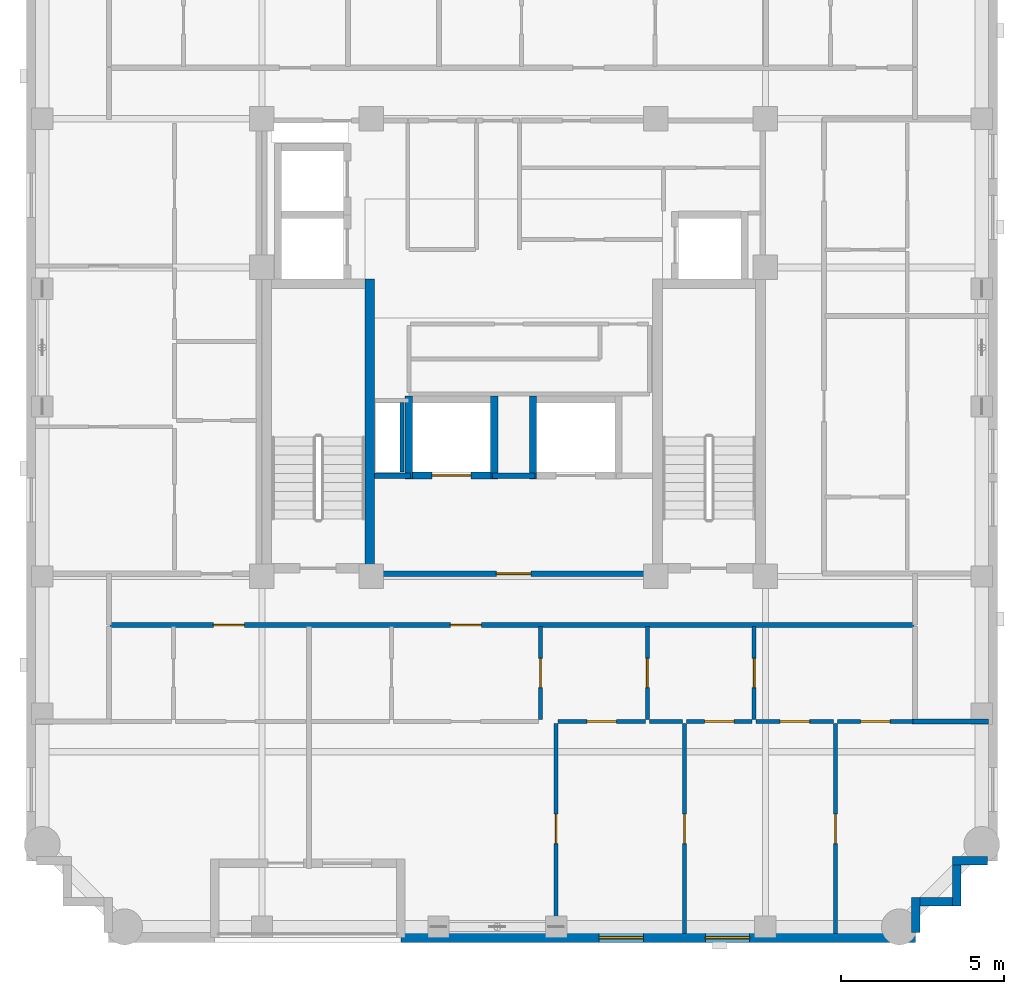
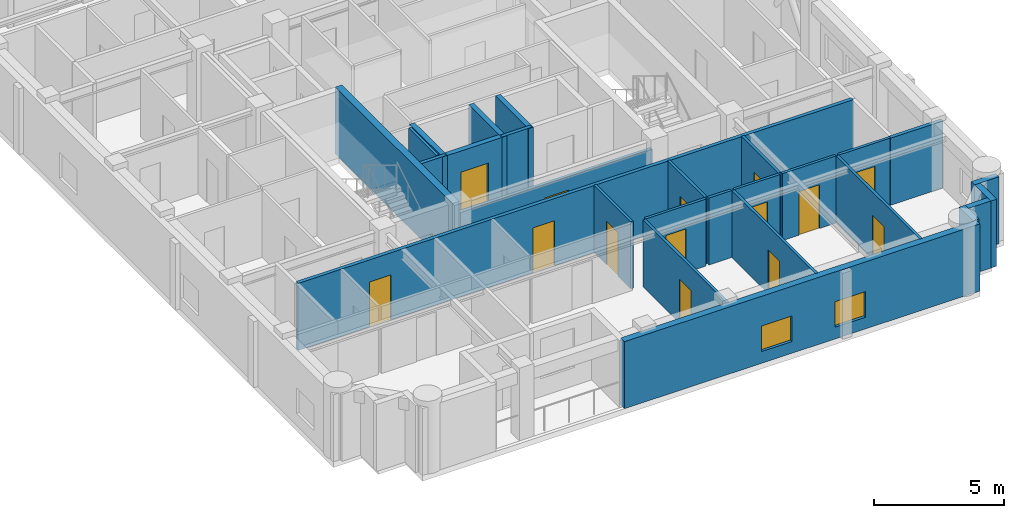
# One storey, part 3 of 10: 27 walls, 14 doors, 2 windows, 16 openings.
"""IFC4 building model written with IfcOpenShell, lengths in metres."""

from ifc_helpers import new_model, si_unit, derived_unit, direction, frame, frame_2d, origin, place, context, subcontext, project, spatial, rectangle, extrude, material, layer, layer_set, type_object, element, fill, save


model = new_model("IFC4")

# Units and contexts
model_context = context("Model", 3, precision=1e-05, world=origin(), true_north=direction((0.0, 1.0)))
body_context = subcontext(model_context, "Body", "Model", "MODEL_VIEW")
ifc_project = project(units=[si_unit("LENGTHUNIT", "METRE"), si_unit("AREAUNIT", "SQUARE_METRE"), si_unit("VOLUMEUNIT", "CUBIC_METRE"), si_unit("PLANEANGLEUNIT", "RADIAN"), si_unit("MASSUNIT", "GRAM", prefix="KILO"), derived_unit("THERMALTRANSMITTANCEUNIT", [(si_unit("MASSUNIT", "GRAM", prefix="KILO"), 1), (si_unit("TIMEUNIT", "SECOND"), -3), (si_unit("THERMODYNAMICTEMPERATUREUNIT", "KELVIN"), -1)])], contexts=[model_context])

# Site, building, storey
site_placement = place(None, origin())
site = spatial("IfcSite", under=ifc_project, at=site_placement, CompositionType="ELEMENT")
building_placement = place(site_placement, origin())
building = spatial("IfcBuilding", under=site, at=building_placement, Name="Korrvale Station Residences", CompositionType="ELEMENT")
storey_placement = place(building_placement, frame((0.0, 0.0, 220.699951171875)))
storey = spatial("IfcBuildingStorey", under=building, at=storey_placement, Name="L64", CompositionType="ELEMENT", Elevation=220.699951171875)

# Walls
ifc_material_1 = material(Name="Concrete C50/60", Category="concrete")
ifc_layer_1 = layer(ifc_material_1, 0.300048828125, Name="Concrete C50/60")
ifc_layer_set_1 = layer_set([ifc_layer_1], Name="Concrete C50/60")
wall_type_1 = type_object("IfcWallType", Name="WAL-CORE-300-C50", PredefinedType="SHEAR", material=ifc_layer_set_1)
wall_1_placement = place(storey_placement, frame((21.10009765625, 15.10009765625, 0.0), z_axis=(0.0, 0.0, 1.0), x_axis=(0.0, 1.0, 0.0)))
element("IfcWall", 1, at=wall_1_placement, inside=storey, type_object=wall_type_1, Name="L64 ST-1 Core Shear Wall East", PredefinedType="SHEAR", context=body_context, shape_type="SweptSolid", body=[
    extrude(rectangle(XDim=9.0, YDim=0.300048828125, at=frame_2d((4.5, 0.0))), origin(), (0.0, 0.0, 1.0), 3.14013671875),
])
ifc_material_2 = material(Name="Precast concrete C45/55", Category="concrete")
ifc_layer_2 = layer(ifc_material_2, 0.260009765625, Name="Precast concrete C45/55")
ifc_layer_set_2 = layer_set([ifc_layer_2], Name="Precast concrete C45/55")
wall_type_2 = type_object("IfcWallType", Name="WAL-EXT-LOG260", PredefinedType="SOLIDWALL", material=ifc_layer_set_2)
wall_2_placement = place(storey_placement, frame((39.998046875, 6.300048828125, 0.0), z_axis=(0.0, 0.0, 1.0), x_axis=(-1.0, 0.0, 0.0)))
element("IfcWall", 2, at=wall_2_placement, inside=storey, type_object=wall_type_2, Name="L64 Serrated Corner Precast Step SE-1", PredefinedType="SOLIDWALL", context=body_context, shape_type="SweptSolid", body=[
    extrude(rectangle(XDim=1.078125, YDim=0.260009765625, at=frame_2d((0.5390625, 0.0))), origin(), (0.0, 0.0, 1.0), 3.14013671875),
])
wall_3_placement = place(storey_placement, frame((39.050048828125, 6.16796875, 0.0), z_axis=(0.0, 0.0, 1.0), x_axis=(0.0, -1.0, 0.0)))
element("IfcWall", 3, at=wall_3_placement, inside=storey, type_object=wall_type_2, Name="L64 Serrated Corner Precast Step SE-2", PredefinedType="SOLIDWALL", context=body_context, shape_type="SweptSolid", body=[
    extrude(rectangle(XDim=1.248046875, YDim=0.260009765625, at=frame_2d((0.6240234375, 0.0))), origin(), (0.0, 0.0, 1.0), 3.14013671875),
])
wall_4_placement = place(storey_placement, frame((38.91796875, 5.050048828125, 0.0), z_axis=(0.0, 0.0, 1.0), x_axis=(-1.0, 0.0, 0.0)))
element("IfcWall", 4, at=wall_4_placement, inside=storey, type_object=wall_type_2, Name="L64 Serrated Corner Precast Step SE-3", PredefinedType="SOLIDWALL", context=body_context, shape_type="SweptSolid", body=[
    extrude(rectangle(XDim=0.986083984375, YDim=0.260009765625, at=frame_2d((0.4931640625, 0.0))), origin(), (0.0, 0.0, 1.0), 3.14013671875),
])
wall_5_placement = place(storey_placement, frame((37.800048828125, 5.179931640625, 0.0), z_axis=(0.0, 0.0, 1.0), x_axis=(0.0, -1.0, 0.0)))
element("IfcWall", 5, at=wall_5_placement, inside=storey, type_object=wall_type_2, Name="L64 Serrated Corner Precast Step SE-4", PredefinedType="SOLIDWALL", context=body_context, shape_type="SweptSolid", body=[
    extrude(rectangle(XDim=1.077880859375, YDim=0.260009765625, at=frame_2d((0.5390625, 0.0))), origin(), (0.0, 0.0, 1.0), 3.14013671875),
])

# Wall, openings, windows
ifc_layer_3 = layer(ifc_material_2, 0.300048828125, Name="Precast concrete C45/55")
ifc_layer_set_3 = layer_set([ifc_layer_3], Name="Precast concrete C45/55")
wall_type_3 = type_object("IfcWallType", Name="WAL-EXT-PC300", PredefinedType="SOLIDWALL", material=ifc_layer_set_3)
wall_6_placement = place(storey_placement, frame((37.800048828125, 3.949951171875, 0.0), z_axis=(0.0, 0.0, 1.0), x_axis=(-1.0, 0.0, 0.0)))
wall_6 = element("IfcWall", 6, at=wall_6_placement, inside=storey, type_object=wall_type_3, Name="L64 South Exterior Precast Wall 1", PredefinedType="SOLIDWALL", context=body_context, shape_type="SweptSolid", body=[
    extrude(rectangle(XDim=15.75, YDim=0.300048828125, at=frame_2d((7.875, 0.0))), origin(), (0.0, 0.0, 1.0), 3.14013671875),
])
opening_1_placement = place(wall_6_placement, frame((8.3349609375, 0.0, 0.550048828125)))
opening_1 = element("IfcOpeningElement", 7, at=opening_1_placement, cuts=wall_6, Name="Opening W-10", PredefinedType="OPENING", context=body_context, shape_type="SweptSolid", body=[
    extrude(rectangle(XDim=1.35009765625, YDim=1.199951171875, at=frame_2d((0.675048828125, 0.60009765625))), frame((0.0, 0.16015625, 0.0), z_axis=(0.0, -1.0, 0.0), x_axis=(1.0, 0.0, 0.0)), (0.0, 0.0, 1.0), 0.320068359375),
])
opening_2_placement = place(wall_6_placement, frame((5.0849609375, 0.0, 0.550048828125)))
opening_2 = element("IfcOpeningElement", 8, at=opening_2_placement, cuts=wall_6, Name="Opening W-10", PredefinedType="OPENING", context=body_context, shape_type="SweptSolid", body=[
    extrude(rectangle(XDim=1.35009765625, YDim=1.199951171875, at=frame_2d((0.675048828125, 0.60009765625))), frame((0.0, 0.16015625, 0.0), z_axis=(0.0, -1.0, 0.0), x_axis=(1.0, 0.0, 0.0)), (0.0, 0.0, 1.0), 0.320068359375),
])
ifc_material_3 = material(Name="Thermally broken aluminium frame with triple low-e glazing", Category="aluminium")
window_type = type_object("IfcWindowType", Name="WIN-W10", PartitioningType="SINGLE_PANEL", PredefinedType="WINDOW", material=ifc_material_3)
window_1_placement = place(opening_1_placement, origin())
window_1 = element("IfcWindow", 9, at=window_1_placement, inside=storey, type_object=window_type, Name="L64 Punched Window 03", OverallHeight=1.199951171875, OverallWidth=1.35009765625, PartitioningType="SINGLE_PANEL", PredefinedType="WINDOW", context=body_context, shape_type="SweptSolid", body=[
    extrude(rectangle(XDim=1.35009765625, YDim=1.199951171875, at=frame_2d((0.675048828125, 0.60009765625))), frame((0.0, 0.030029296875, 0.0), z_axis=(0.0, -1.0, 0.0), x_axis=(1.0, 0.0, 0.0)), (0.0, 0.0, 1.0), 0.06005859375),
])
fill(opening_1, window_1)
window_2_placement = place(opening_2_placement, origin())
window_2 = element("IfcWindow", 10, at=window_2_placement, inside=storey, type_object=window_type, Name="L64 Punched Window 04", OverallHeight=1.199951171875, OverallWidth=1.35009765625, PartitioningType="SINGLE_PANEL", PredefinedType="WINDOW", context=body_context, shape_type="SweptSolid", body=[
    extrude(rectangle(XDim=1.35009765625, YDim=1.199951171875, at=frame_2d((0.675048828125, 0.60009765625))), frame((0.0, 0.030029296875, 0.0), z_axis=(0.0, -1.0, 0.0), x_axis=(1.0, 0.0, 0.0)), (0.0, 0.0, 1.0), 0.06005859375),
])
fill(opening_2, window_2)

# Wall
ifc_material_4 = material(Name="Acoustic steel-stud gypsum board partition", Category="steel")
ifc_layer_4 = layer(ifc_material_4, 0.1201171875, Name="Acoustic steel-stud gypsum board partition")
ifc_layer_set_4 = layer_set([ifc_layer_4], Name="Acoustic steel-stud gypsum board partition")
wall_type_4 = type_object("IfcWallType", Name="WAL-PART-125", PredefinedType="PARTITIONING", material=ifc_layer_set_4)
wall_7_placement = place(storey_placement, frame((22.080078125, 18.199951171875, 0.0), z_axis=(0.0, 0.0, 1.0), x_axis=(0.0, 1.0, 0.0)))
element("IfcWall", 11, at=wall_7_placement, inside=storey, type_object=wall_type_4, Name="L64 Core Partition CW-RSWT", PredefinedType="PARTITIONING", context=body_context, shape_type="SweptSolid", body=[
    extrude(rectangle(XDim=2.1201171875, YDim=0.1201171875, at=frame_2d((1.06005859375, 0.0))), origin(), (0.0, 0.0, 1.0), 3.14013671875),
])

# Wall, opening, door
wall_8_placement = place(storey_placement, frame((26.319091796875, 10.6201171875, 0.0), z_axis=(0.0, 0.0, 1.0), x_axis=(0.0, 1.0, 0.0)))
wall_8 = element("IfcWall", 12, at=wall_8_placement, inside=storey, type_object=wall_type_4, Name="L64 Suite Partition U02-V12", PredefinedType="PARTITIONING", context=body_context, shape_type="SweptSolid", body=[
    extrude(rectangle(XDim=2.849853515625, YDim=0.1201171875, at=frame_2d((1.4248046875, 0.0))), origin(), (0.0, 0.0, 1.0), 3.14013671875),
])
opening_3_placement = place(wall_8_placement, frame((0.97509765625, 0.0, 0.0)))
opening_3 = element("IfcOpeningElement", 13, at=opening_3_placement, cuts=wall_8, Name="Opening DI-900", PredefinedType="OPENING", context=body_context, shape_type="SweptSolid", body=[
    extrude(rectangle(XDim=0.89990234375, YDim=2.050048828125, at=frame_2d((0.449951171875, 1.02490234375))), frame((0.0, 0.070068359375, 0.0), z_axis=(0.0, -1.0, 0.0), x_axis=(1.0, 0.0, 0.0)), (0.0, 0.0, 1.0), 0.14013671875),
])
ifc_material_5 = material(Name="Painted solid-core timber interior room door", Category="wood")
door_type_1 = type_object("IfcDoorType", Name="DR-INT-900", OperationType="NOTDEFINED", PredefinedType="DOOR", material=ifc_material_5)
door_1_placement = place(opening_3_placement, origin())
door_1 = element("IfcDoor", 14, at=door_1_placement, inside=storey, type_object=door_type_1, Name="L64 Apartment 2BR L64-U02 Kitchen Door", OperationType="SINGLE_SWING_RIGHT", OverallHeight=2.050048828125, OverallWidth=0.89990234375, PredefinedType="DOOR", context=body_context, shape_type="SweptSolid", body=[
    extrude(rectangle(XDim=0.89990234375, YDim=2.050048828125, at=frame_2d((0.449951171875, 1.02490234375))), frame((0.0, 0.02490234375, 0.0), z_axis=(0.0, -1.0, 0.0), x_axis=(1.0, 0.0, 0.0)), (0.0, 0.0, 1.0), 0.050048828125),
])
fill(opening_3, door_1)

wall_9_placement = place(storey_placement, frame((29.589111328125, 10.6201171875, 0.0), z_axis=(0.0, 0.0, 1.0), x_axis=(0.0, 1.0, 0.0)))
wall_9 = element("IfcWall", 15, at=wall_9_placement, inside=storey, type_object=wall_type_4, Name="L64 Suite Partition U02-V23", PredefinedType="PARTITIONING", context=body_context, shape_type="SweptSolid", body=[
    extrude(rectangle(XDim=2.849853515625, YDim=0.1201171875, at=frame_2d((1.4248046875, 0.0))), origin(), (0.0, 0.0, 1.0), 3.14013671875),
])
opening_4_placement = place(wall_9_placement, frame((0.97509765625, 0.0, 0.0)))
opening_4 = element("IfcOpeningElement", 16, at=opening_4_placement, cuts=wall_9, Name="Opening DI-900", PredefinedType="OPENING", context=body_context, shape_type="SweptSolid", body=[
    extrude(rectangle(XDim=0.89990234375, YDim=2.050048828125, at=frame_2d((0.449951171875, 1.02490234375))), frame((0.0, 0.070068359375, 0.0), z_axis=(0.0, -1.0, 0.0), x_axis=(1.0, 0.0, 0.0)), (0.0, 0.0, 1.0), 0.14013671875),
])
door_2_placement = place(opening_4_placement, origin())
door_2 = element("IfcDoor", 17, at=door_2_placement, inside=storey, type_object=door_type_1, Name="L64 Apartment 2BR L64-U02 Home Study Room Door", OperationType="SINGLE_SWING_RIGHT", OverallHeight=2.050048828125, OverallWidth=0.89990234375, PredefinedType="DOOR", context=body_context, shape_type="SweptSolid", body=[
    extrude(rectangle(XDim=0.89990234375, YDim=2.050048828125, at=frame_2d((0.449951171875, 1.02490234375))), frame((0.0, 0.02490234375, 0.0), z_axis=(0.0, -1.0, 0.0), x_axis=(1.0, 0.0, 0.0)), (0.0, 0.0, 1.0), 0.050048828125),
])
fill(opening_4, door_2)

wall_10_placement = place(storey_placement, frame((26.860107421875, 10.56005859375, 0.0), z_axis=(0.0, 0.0, 1.0), x_axis=(1.0, 0.0, 0.0)))
wall_10 = element("IfcWall", 18, at=wall_10_placement, inside=storey, type_object=wall_type_4, Name="L64 Suite Partition U02-H26", PredefinedType="PARTITIONING", context=body_context, shape_type="SweptSolid", body=[
    extrude(rectangle(XDim=2.6689453125, YDim=0.1201171875, at=frame_2d((1.33447265625, 0.0))), origin(), (0.0, 0.0, 1.0), 3.14013671875),
])
opening_5_placement = place(wall_10_placement, frame((0.884033203125, 0.0, 0.0)))
opening_5 = element("IfcOpeningElement", 19, at=opening_5_placement, cuts=wall_10, Name="Opening DI-900", PredefinedType="OPENING", context=body_context, shape_type="SweptSolid", body=[
    extrude(rectangle(XDim=0.89990234375, YDim=2.050048828125, at=frame_2d((0.449951171875, 1.02490234375))), frame((0.0, 0.070068359375, 0.0), z_axis=(0.0, -1.0, 0.0), x_axis=(1.0, 0.0, 0.0)), (0.0, 0.0, 1.0), 0.14013671875),
])
door_3_placement = place(opening_5_placement, origin())
door_3 = element("IfcDoor", 20, at=door_3_placement, inside=storey, type_object=door_type_1, Name="L64 Apartment 2BR L64-U02 Home Study Room Door", OperationType="SINGLE_SWING_LEFT", OverallHeight=2.050048828125, OverallWidth=0.89990234375, PredefinedType="DOOR", context=body_context, shape_type="SweptSolid", body=[
    extrude(rectangle(XDim=0.89990234375, YDim=2.050048828125, at=frame_2d((0.449951171875, 1.02490234375))), frame((0.0, 0.02490234375, 0.0), z_axis=(0.0, -1.0, 0.0), x_axis=(1.0, 0.0, 0.0)), (0.0, 0.0, 1.0), 0.050048828125),
])
fill(opening_5, door_3)

wall_11_placement = place(storey_placement, frame((32.85888671875, 10.6201171875, 0.0), z_axis=(0.0, 0.0, 1.0), x_axis=(0.0, 1.0, 0.0)))
wall_11 = element("IfcWall", 21, at=wall_11_placement, inside=storey, type_object=wall_type_4, Name="L64 Suite Partition U02-V34", PredefinedType="PARTITIONING", context=body_context, shape_type="SweptSolid", body=[
    extrude(rectangle(XDim=2.849853515625, YDim=0.1201171875, at=frame_2d((1.4248046875, 0.0))), origin(), (0.0, 0.0, 1.0), 3.14013671875),
])
opening_6_placement = place(wall_11_placement, frame((0.97509765625, 0.0, 0.0)))
opening_6 = element("IfcOpeningElement", 22, at=opening_6_placement, cuts=wall_11, Name="Opening DI-900", PredefinedType="OPENING", context=body_context, shape_type="SweptSolid", body=[
    extrude(rectangle(XDim=0.89990234375, YDim=2.050048828125, at=frame_2d((0.449951171875, 1.02490234375))), frame((0.0, 0.070068359375, 0.0), z_axis=(0.0, -1.0, 0.0), x_axis=(1.0, 0.0, 0.0)), (0.0, 0.0, 1.0), 0.14013671875),
])
door_4_placement = place(opening_6_placement, origin())
door_4 = element("IfcDoor", 23, at=door_4_placement, inside=storey, type_object=door_type_1, Name="L64 Apartment 2BR L64-U02 Home Study Room Door", OperationType="SINGLE_SWING_RIGHT", OverallHeight=2.050048828125, OverallWidth=0.89990234375, PredefinedType="DOOR", context=body_context, shape_type="SweptSolid", body=[
    extrude(rectangle(XDim=0.89990234375, YDim=2.050048828125, at=frame_2d((0.449951171875, 1.02490234375))), frame((0.0, 0.02490234375, 0.0), z_axis=(0.0, -1.0, 0.0), x_axis=(1.0, 0.0, 0.0)), (0.0, 0.0, 1.0), 0.050048828125),
])
fill(opening_6, door_4)

# Wall
wall_12_placement = place(storey_placement, frame((29.64892578125, 10.56005859375, 0.0), z_axis=(0.0, 0.0, 1.0), x_axis=(1.0, 0.0, 0.0)))
element("IfcWall", 24, at=wall_12_placement, inside=storey, type_object=wall_type_4, Name="L64 Suite Partition U02-H36", PredefinedType="PARTITIONING", context=body_context, shape_type="SweptSolid", body=[
    extrude(rectangle(XDim=1.02099609375, YDim=0.1201171875, at=frame_2d((0.510498046875, 0.0))), origin(), (0.0, 0.0, 1.0), 3.14013671875),
])

# Wall, opening, door
wall_13_placement = place(storey_placement, frame((30.7900390625, 10.56005859375, 0.0), z_axis=(0.0, 0.0, 1.0), x_axis=(1.0, 0.0, 0.0)))
wall_13 = element("IfcWall", 25, at=wall_13_placement, inside=storey, type_object=wall_type_4, Name="L64 Suite Partition U02-H37", PredefinedType="PARTITIONING", context=body_context, shape_type="SweptSolid", body=[
    extrude(rectangle(XDim=2.009033203125, YDim=0.1201171875, at=frame_2d((1.00439453125, 0.0))), origin(), (0.0, 0.0, 1.0), 3.14013671875),
])
opening_7_placement = place(wall_13_placement, frame((0.553955078125, 0.0, 0.0)))
opening_7 = element("IfcOpeningElement", 26, at=opening_7_placement, cuts=wall_13, Name="Opening DI-900", PredefinedType="OPENING", context=body_context, shape_type="SweptSolid", body=[
    extrude(rectangle(XDim=0.89990234375, YDim=2.050048828125, at=frame_2d((0.449951171875, 1.02490234375))), frame((0.0, 0.070068359375, 0.0), z_axis=(0.0, -1.0, 0.0), x_axis=(1.0, 0.0, 0.0)), (0.0, 0.0, 1.0), 0.14013671875),
])
door_5_placement = place(opening_7_placement, origin())
door_5 = element("IfcDoor", 27, at=door_5_placement, inside=storey, type_object=door_type_1, Name="L64 Apartment 2BR L64-U02 Home Study Room Door", OperationType="SINGLE_SWING_LEFT", OverallHeight=2.050048828125, OverallWidth=0.89990234375, PredefinedType="DOOR", context=body_context, shape_type="SweptSolid", body=[
    extrude(rectangle(XDim=0.89990234375, YDim=2.050048828125, at=frame_2d((0.449951171875, 1.02490234375))), frame((0.0, 0.02490234375, 0.0), z_axis=(0.0, -1.0, 0.0), x_axis=(1.0, 0.0, 0.0)), (0.0, 0.0, 1.0), 0.050048828125),
])
fill(opening_7, door_5)

wall_14_placement = place(storey_placement, frame((32.9189453125, 10.56005859375, 0.0), z_axis=(0.0, 0.0, 1.0), x_axis=(1.0, 0.0, 0.0)))
wall_14 = element("IfcWall", 28, at=wall_14_placement, inside=storey, type_object=wall_type_4, Name="L64 Suite Partition U02-H47", PredefinedType="PARTITIONING", context=body_context, shape_type="SweptSolid", body=[
    extrude(rectangle(XDim=2.37109375, YDim=0.1201171875, at=frame_2d((1.185546875, 0.0))), origin(), (0.0, 0.0, 1.0), 3.14013671875),
])
opening_8_placement = place(wall_14_placement, frame((0.735107421875, 0.0, 0.0)))
opening_8 = element("IfcOpeningElement", 29, at=opening_8_placement, cuts=wall_14, Name="Opening DI-900", PredefinedType="OPENING", context=body_context, shape_type="SweptSolid", body=[
    extrude(rectangle(XDim=0.89990234375, YDim=2.050048828125, at=frame_2d((0.449951171875, 1.02490234375))), frame((0.0, 0.070068359375, 0.0), z_axis=(0.0, -1.0, 0.0), x_axis=(1.0, 0.0, 0.0)), (0.0, 0.0, 1.0), 0.14013671875),
])
door_6_placement = place(opening_8_placement, origin())
door_6 = element("IfcDoor", 30, at=door_6_placement, inside=storey, type_object=door_type_1, Name="L64 Apartment 2BR L64-U02 Home Study Room Door", OperationType="SINGLE_SWING_RIGHT", OverallHeight=2.050048828125, OverallWidth=0.89990234375, PredefinedType="DOOR", context=body_context, shape_type="SweptSolid", body=[
    extrude(rectangle(XDim=0.89990234375, YDim=2.050048828125, at=frame_2d((0.449951171875, 1.02490234375))), frame((0.0, 0.02490234375, 0.0), z_axis=(0.0, -1.0, 0.0), x_axis=(1.0, 0.0, 0.0)), (0.0, 0.0, 1.0), 0.050048828125),
])
fill(opening_8, door_6)

wall_15_placement = place(storey_placement, frame((35.409912109375, 10.56005859375, 0.0), z_axis=(0.0, 0.0, 1.0), x_axis=(1.0, 0.0, 0.0)))
wall_15 = element("IfcWall", 31, at=wall_15_placement, inside=storey, type_object=wall_type_4, Name="L64 Suite Partition U02-H48", PredefinedType="PARTITIONING", context=body_context, shape_type="SweptSolid", body=[
    extrude(rectangle(XDim=2.31005859375, YDim=0.1201171875, at=frame_2d((1.155029296875, 0.0))), origin(), (0.0, 0.0, 1.0), 3.14013671875),
])
opening_9_placement = place(wall_15_placement, frame((0.705078125, 0.0, 0.0)))
opening_9 = element("IfcOpeningElement", 32, at=opening_9_placement, cuts=wall_15, Name="Opening DI-900", PredefinedType="OPENING", context=body_context, shape_type="SweptSolid", body=[
    extrude(rectangle(XDim=0.89990234375, YDim=2.050048828125, at=frame_2d((0.449951171875, 1.02490234375))), frame((0.0, 0.070068359375, 0.0), z_axis=(0.0, -1.0, 0.0), x_axis=(1.0, 0.0, 0.0)), (0.0, 0.0, 1.0), 0.14013671875),
])
door_7_placement = place(opening_9_placement, origin())
door_7 = element("IfcDoor", 33, at=door_7_placement, inside=storey, type_object=door_type_1, Name="L64 Apartment 2BR L64-U02 Home Study Room Door", OperationType="SINGLE_SWING_LEFT", OverallHeight=2.050048828125, OverallWidth=0.89990234375, PredefinedType="DOOR", context=body_context, shape_type="SweptSolid", body=[
    extrude(rectangle(XDim=0.89990234375, YDim=2.050048828125, at=frame_2d((0.449951171875, 1.02490234375))), frame((0.0, 0.02490234375, 0.0), z_axis=(0.0, -1.0, 0.0), x_axis=(1.0, 0.0, 0.0)), (0.0, 0.0, 1.0), 0.050048828125),
])
fill(opening_9, door_7)

wall_16_placement = place(storey_placement, frame((26.800048828125, 4.080078125, 0.0), z_axis=(0.0, 0.0, 1.0), x_axis=(0.0, 1.0, 0.0)))
wall_16 = element("IfcWall", 34, at=wall_16_placement, inside=storey, type_object=wall_type_4, Name="L64 Suite Partition U02-V56", PredefinedType="PARTITIONING", context=body_context, shape_type="SweptSolid", body=[
    extrude(rectangle(XDim=6.419921875, YDim=0.1201171875, at=frame_2d((3.2099609375, 0.0))), origin(), (0.0, 0.0, 1.0), 3.14013671875),
])
opening_10_placement = place(wall_16_placement, frame((2.7451171875, 0.0, 0.0)))
opening_10 = element("IfcOpeningElement", 35, at=opening_10_placement, cuts=wall_16, Name="Opening DI-900", PredefinedType="OPENING", context=body_context, shape_type="SweptSolid", body=[
    extrude(rectangle(XDim=0.89990234375, YDim=2.050048828125, at=frame_2d((0.449951171875, 1.02490234375))), frame((0.0, 0.070068359375, 0.0), z_axis=(0.0, -1.0, 0.0), x_axis=(1.0, 0.0, 0.0)), (0.0, 0.0, 1.0), 0.14013671875),
])
door_8_placement = place(opening_10_placement, origin())
door_8 = element("IfcDoor", 36, at=door_8_placement, inside=storey, type_object=door_type_1, Name="L64 Apartment 2BR L64-U02 Living and Dining Room Door", OperationType="SINGLE_SWING_RIGHT", OverallHeight=2.050048828125, OverallWidth=0.89990234375, PredefinedType="DOOR", context=body_context, shape_type="SweptSolid", body=[
    extrude(rectangle(XDim=0.89990234375, YDim=2.050048828125, at=frame_2d((0.449951171875, 1.02490234375))), frame((0.0, 0.02490234375, 0.0), z_axis=(0.0, -1.0, 0.0), x_axis=(1.0, 0.0, 0.0)), (0.0, 0.0, 1.0), 0.050048828125),
])
fill(opening_10, door_8)

wall_17_placement = place(storey_placement, frame((30.72998046875, 4.080078125, 0.0), z_axis=(0.0, 0.0, 1.0), x_axis=(0.0, 1.0, 0.0)))
wall_17 = element("IfcWall", 37, at=wall_17_placement, inside=storey, type_object=wall_type_4, Name="L64 Suite Partition U02-V67", PredefinedType="PARTITIONING", context=body_context, shape_type="SweptSolid", body=[
    extrude(rectangle(XDim=6.419921875, YDim=0.1201171875, at=frame_2d((3.2099609375, 0.0))), origin(), (0.0, 0.0, 1.0), 3.14013671875),
])
opening_11_placement = place(wall_17_placement, frame((2.7451171875, 0.0, 0.0)))
opening_11 = element("IfcOpeningElement", 38, at=opening_11_placement, cuts=wall_17, Name="Opening DI-900", PredefinedType="OPENING", context=body_context, shape_type="SweptSolid", body=[
    extrude(rectangle(XDim=0.89990234375, YDim=2.050048828125, at=frame_2d((0.449951171875, 1.02490234375))), frame((0.0, 0.070068359375, 0.0), z_axis=(0.0, -1.0, 0.0), x_axis=(1.0, 0.0, 0.0)), (0.0, 0.0, 1.0), 0.14013671875),
])
door_9_placement = place(opening_11_placement, origin())
door_9 = element("IfcDoor", 39, at=door_9_placement, inside=storey, type_object=door_type_1, Name="L64 Apartment 2BR L64-U02 Formal Dining Room Door", OperationType="SINGLE_SWING_LEFT", OverallHeight=2.050048828125, OverallWidth=0.89990234375, PredefinedType="DOOR", context=body_context, shape_type="SweptSolid", body=[
    extrude(rectangle(XDim=0.89990234375, YDim=2.050048828125, at=frame_2d((0.449951171875, 1.02490234375))), frame((0.0, 0.02490234375, 0.0), z_axis=(0.0, -1.0, 0.0), x_axis=(1.0, 0.0, 0.0)), (0.0, 0.0, 1.0), 0.050048828125),
])
fill(opening_11, door_9)

wall_18_placement = place(storey_placement, frame((35.35009765625, 4.080078125, 0.0), z_axis=(0.0, 0.0, 1.0), x_axis=(0.0, 1.0, 0.0)))
wall_18 = element("IfcWall", 40, at=wall_18_placement, inside=storey, type_object=wall_type_4, Name="L64 Suite Partition U02-V78", PredefinedType="PARTITIONING", context=body_context, shape_type="SweptSolid", body=[
    extrude(rectangle(XDim=6.419921875, YDim=0.1201171875, at=frame_2d((3.2099609375, 0.0))), origin(), (0.0, 0.0, 1.0), 3.14013671875),
])
opening_12_placement = place(wall_18_placement, frame((2.7451171875, 0.0, 0.0)))
opening_12 = element("IfcOpeningElement", 41, at=opening_12_placement, cuts=wall_18, Name="Opening DI-900", PredefinedType="OPENING", context=body_context, shape_type="SweptSolid", body=[
    extrude(rectangle(XDim=0.89990234375, YDim=2.050048828125, at=frame_2d((0.449951171875, 1.02490234375))), frame((0.0, 0.070068359375, 0.0), z_axis=(0.0, -1.0, 0.0), x_axis=(1.0, 0.0, 0.0)), (0.0, 0.0, 1.0), 0.14013671875),
])
door_10_placement = place(opening_12_placement, origin())
door_10 = element("IfcDoor", 42, at=door_10_placement, inside=storey, type_object=door_type_1, Name="L64 Apartment 2BR L64-U02 Bedroom 1 Door", OperationType="SINGLE_SWING_RIGHT", OverallHeight=2.050048828125, OverallWidth=0.89990234375, PredefinedType="DOOR", context=body_context, shape_type="SweptSolid", body=[
    extrude(rectangle(XDim=0.89990234375, YDim=2.050048828125, at=frame_2d((0.449951171875, 1.02490234375))), frame((0.0, 0.02490234375, 0.0), z_axis=(0.0, -1.0, 0.0), x_axis=(1.0, 0.0, 0.0)), (0.0, 0.0, 1.0), 0.050048828125),
])
fill(opening_12, door_10)

ifc_material_6 = material(Name="Fire-rated twin-stud gypsum and mineral wool shaftwall assembly", Category="gypsum")
ifc_layer_5 = layer(ifc_material_6, 0.159912109375, Name="Fire-rated twin-stud gypsum and mineral wool shaftwall assembly")
ifc_layer_set_5 = layer_set([ifc_layer_5], Name="Fire-rated twin-stud gypsum and mineral wool shaftwall assembly")
wall_type_5 = type_object("IfcWallType", Name="WAL-PART-200", PredefinedType="PARTITIONING", material=ifc_layer_set_5)
wall_19_placement = place(storey_placement, frame((21.25, 15.080078125, 0.0), z_axis=(0.0, 0.0, 1.0), x_axis=(1.0, 0.0, 0.0)))
wall_19 = element("IfcWall", 43, at=wall_19_placement, inside=storey, type_object=wall_type_5, Name="L64 Core Partition CW-FFL-S", PredefinedType="PARTITIONING", context=body_context, shape_type="SweptSolid", body=[
    extrude(rectangle(XDim=8.5, YDim=0.159912109375, at=frame_2d((4.25, 0.0))), origin(), (0.0, 0.0, 1.0), 2.66796875),
])
opening_13_placement = place(wall_19_placement, frame((3.72509765625, 0.0, 0.0)))
opening_13 = element("IfcOpeningElement", 44, at=opening_13_placement, cuts=wall_19, Name="Opening FD-1050", PredefinedType="OPENING", context=body_context, shape_type="SweptSolid", body=[
    extrude(rectangle(XDim=1.050048828125, YDim=2.050048828125, at=frame_2d((0.52490234375, 1.02490234375))), frame((0.0, 0.08984375, 0.0), z_axis=(0.0, -1.0, 0.0), x_axis=(1.0, 0.0, 0.0)), (0.0, 0.0, 1.0), 0.179931640625),
])
ifc_material_7 = material(Name="Fire-rated mineral-core timber lobby door", Category="wood")
door_type_2 = type_object("IfcDoorType", Name="DR-CORE-1050", OperationType="NOTDEFINED", PredefinedType="DOOR", material=ifc_material_7)
door_11_placement = place(opening_13_placement, origin())
door_11 = element("IfcDoor", 45, at=door_11_placement, inside=storey, type_object=door_type_2, Name="L64 Firefighting Lobby Entry Door", OperationType="SINGLE_SWING_RIGHT", OverallHeight=2.050048828125, OverallWidth=1.050048828125, PredefinedType="DOOR", context=body_context, shape_type="SweptSolid", body=[
    extrude(rectangle(XDim=1.050048828125, YDim=2.050048828125, at=frame_2d((0.52490234375, 1.02490234375))), frame((0.0, 0.02490234375, 0.0), z_axis=(0.0, -1.0, 0.0), x_axis=(1.0, 0.0, 0.0)), (0.0, 0.0, 1.0), 0.050048828125),
])
fill(opening_13, door_11)

# Walls
wall_20_placement = place(storey_placement, frame((21.25, 18.080078125, 0.0), z_axis=(0.0, 0.0, 1.0), x_axis=(1.0, 0.0, 0.0)))
element("IfcWall", 46, at=wall_20_placement, inside=storey, type_object=wall_type_5, Name="L64 Core Partition CW-FFL-N1", PredefinedType="PARTITIONING", context=body_context, shape_type="SweptSolid", body=[
    extrude(rectangle(XDim=1.10009765625, YDim=0.159912109375, at=frame_2d((0.550048828125, 0.0))), origin(), (0.0, 0.0, 1.0), 3.14013671875),
])
wall_21_placement = place(storey_placement, frame((24.85009765625, 18.080078125, 0.0), z_axis=(0.0, 0.0, 1.0), x_axis=(1.0, 0.0, 0.0)))
element("IfcWall", 47, at=wall_21_placement, inside=storey, type_object=wall_type_5, Name="L64 Core Partition CW-FFL-N2", PredefinedType="PARTITIONING", context=body_context, shape_type="SweptSolid", body=[
    extrude(rectangle(XDim=1.2998046875, YDim=0.159912109375, at=frame_2d((0.64990234375, 0.0))), origin(), (0.0, 0.0, 1.0), 3.14013671875),
])
wall_22_placement = place(storey_placement, frame((37.679931640625, 10.56005859375, 0.0), z_axis=(0.0, 0.0, 1.0), x_axis=(1.0, 0.0, 0.0)))
element("IfcWall", 48, at=wall_22_placement, inside=storey, type_object=wall_type_5, Name="L64 Corner Step Wall U02-R", PredefinedType="PARTITIONING", context=body_context, shape_type="SweptSolid", body=[
    extrude(rectangle(XDim=2.340087890625, YDim=0.159912109375, at=frame_2d((1.169921875, 0.0))), origin(), (0.0, 0.0, 1.0), 3.14013671875),
])

# Wall, openings, doors
wall_23_placement = place(storey_placement, frame((13.14990234375, 13.510009765625, 0.0), z_axis=(0.0, 0.0, 1.0), x_axis=(1.0, 0.0, 0.0)))
wall_23 = element("IfcWall", 49, at=wall_23_placement, inside=storey, type_object=wall_type_5, Name="L64 Rated Corridor Wall S", PredefinedType="PARTITIONING", context=body_context, shape_type="SweptSolid", body=[
    extrude(rectangle(XDim=24.60009765625, YDim=0.159912109375, at=frame_2d((12.300048828125, 0.0))), origin(), (0.0, 0.0, 1.0), 3.14013671875),
])
opening_14_placement = place(wall_23_placement, frame((3.1650390625, 0.0, 0.0)))
opening_14 = element("IfcOpeningElement", 50, at=opening_14_placement, cuts=wall_23, Name="Opening UD-950", PredefinedType="OPENING", context=body_context, shape_type="SweptSolid", body=[
    extrude(rectangle(XDim=0.949951171875, YDim=2.10009765625, at=frame_2d((0.47509765625, 1.050048828125))), frame((0.0, 0.08984375, 0.0), z_axis=(0.0, -1.0, 0.0), x_axis=(1.0, 0.0, 0.0)), (0.0, 0.0, 1.0), 0.179931640625),
])
opening_15_placement = place(wall_23_placement, frame((10.4140625, 0.0, 0.0)))
opening_15 = element("IfcOpeningElement", 51, at=opening_15_placement, cuts=wall_23, Name="Opening UD-950", PredefinedType="OPENING", context=body_context, shape_type="SweptSolid", body=[
    extrude(rectangle(XDim=0.949951171875, YDim=2.10009765625, at=frame_2d((0.47509765625, 1.050048828125))), frame((0.0, 0.08984375, 0.0), z_axis=(0.0, -1.0, 0.0), x_axis=(1.0, 0.0, 0.0)), (0.0, 0.0, 1.0), 0.179931640625),
])
ifc_material_8 = material(Name="Solid-core acoustic oak apartment entrance door", Category="timber")
door_type_3 = type_object("IfcDoorType", Name="DR-UNIT-950", OperationType="NOTDEFINED", PredefinedType="DOOR", material=ifc_material_8)
door_12_placement = place(opening_14_placement, origin())
door_12 = element("IfcDoor", 52, at=door_12_placement, inside=storey, type_object=door_type_3, Name="L64 Apartment L64-U01 Entrance Door", OperationType="SINGLE_SWING_RIGHT", OverallHeight=2.10009765625, OverallWidth=0.949951171875, PredefinedType="DOOR", context=body_context, shape_type="SweptSolid", body=[
    extrude(rectangle(XDim=0.949951171875, YDim=2.10009765625, at=frame_2d((0.47509765625, 1.050048828125))), frame((0.0, 0.02490234375, 0.0), z_axis=(0.0, -1.0, 0.0), x_axis=(1.0, 0.0, 0.0)), (0.0, 0.0, 1.0), 0.050048828125),
])
fill(opening_14, door_12)
door_13_placement = place(opening_15_placement, origin())
door_13 = element("IfcDoor", 53, at=door_13_placement, inside=storey, type_object=door_type_3, Name="L64 Apartment L64-U02 Entrance Door", OperationType="SINGLE_SWING_LEFT", OverallHeight=2.10009765625, OverallWidth=0.949951171875, PredefinedType="DOOR", context=body_context, shape_type="SweptSolid", body=[
    extrude(rectangle(XDim=0.949951171875, YDim=2.10009765625, at=frame_2d((0.47509765625, 1.050048828125))), frame((0.0, 0.02490234375, 0.0), z_axis=(0.0, -1.0, 0.0), x_axis=(1.0, 0.0, 0.0)), (0.0, 0.0, 1.0), 0.050048828125),
])
fill(opening_15, door_13)

# Wall, opening, door
ifc_layer_6 = layer(ifc_material_1, 0.219970703125, Name="Concrete C50/60")
ifc_layer_set_6 = layer_set([ifc_layer_6], Name="Concrete C50/60")
wall_type_6 = type_object("IfcWallType", Name="WAL-SHAFT-220-C50", PredefinedType="SHEAR", material=ifc_layer_set_6)
wall_24_placement = place(storey_placement, frame((22.39990234375, 18.090087890625, 0.0), z_axis=(0.0, 0.0, 1.0), x_axis=(1.0, 0.0, 0.0)))
wall_24 = element("IfcWall", 54, at=wall_24_placement, inside=storey, type_object=wall_type_6, Name="L64 Elevator FFL-1 Hoistway Wall South", PredefinedType="SHEAR", context=body_context, shape_type="SweptSolid", body=[
    extrude(rectangle(XDim=2.400146484375, YDim=0.219970703125, at=frame_2d((1.2001953125, 0.0))), origin(), (0.0, 0.0, 1.0), 3.14013671875),
])
opening_16_placement = place(wall_24_placement, frame((0.60009765625, 0.0, 0.0)))
opening_16 = element("IfcOpeningElement", 55, at=opening_16_placement, cuts=wall_24, Name="Opening LD-FF1200", PredefinedType="OPENING", context=body_context, shape_type="SweptSolid", body=[
    extrude(rectangle(XDim=1.199951171875, YDim=2.14990234375, at=frame_2d((0.60009765625, 1.074951171875))), frame((0.0, 0.1201171875, 0.0), z_axis=(0.0, -1.0, 0.0), x_axis=(1.0, 0.0, 0.0)), (0.0, 0.0, 1.0), 0.239990234375),
])
ifc_material_9 = material(Name="Stainless-steel firefighter elevator landing sliding door", Category="steel")
door_type_4 = type_object("IfcDoorType", Name="DR-LIFT-FF1200", OperationType="SLIDING_TO_LEFT", PredefinedType="DOOR", material=ifc_material_9)
door_14_placement = place(opening_16_placement, origin())
door_14 = element("IfcDoor", 56, at=door_14_placement, inside=storey, type_object=door_type_4, Name="L64 Elevator FFL-1 Sliding Landing Door", OperationType="SLIDING_TO_LEFT", OverallHeight=2.14990234375, OverallWidth=1.199951171875, PredefinedType="DOOR", context=body_context, shape_type="SweptSolid", body=[
    extrude(rectangle(XDim=1.199951171875, YDim=2.14990234375, at=frame_2d((0.60009765625, 1.074951171875))), frame((0.0, 0.02490234375, 0.0), z_axis=(0.0, -1.0, 0.0), x_axis=(1.0, 0.0, 0.0)), (0.0, 0.0, 1.0), 0.050048828125),
])
fill(opening_16, door_14)

# Walls
for number, where, z_axis, x_axis, name in (
    (57, (22.2900390625, 17.97998046875, 0.0), (0.0, 0.0, 1.0), (0.0, 1.0, 0.0), "L64 Elevator FFL-1 Hoistway Wall West"),
    (58, (24.909912109375, 17.97998046875, 0.0), (0.0, 0.0, 1.0), (0.0, 1.0, 0.0), "L64 Elevator FFL-1 Hoistway Wall East"),
    (59, (26.090087890625, 17.97998046875, 0.0), (0.0, 0.0, 1.0), (0.0, 1.0, 0.0), "L64 Elevator FFL-2 Hoistway Wall West"),
):
    element("IfcWall", number, at=place(storey_placement, frame(where, z_axis=z_axis, x_axis=x_axis)), inside=storey, type_object=wall_type_6, Name=name, PredefinedType="SHEAR", context=body_context, shape_type="SweptSolid", body=[
        extrude(rectangle(XDim=2.5400390625, YDim=0.219970703125, at=frame_2d((1.27001953125, 0.0))), origin(), (0.0, 0.0, 1.0), 3.14013671875),
    ])

save(model, "model.ifc")
